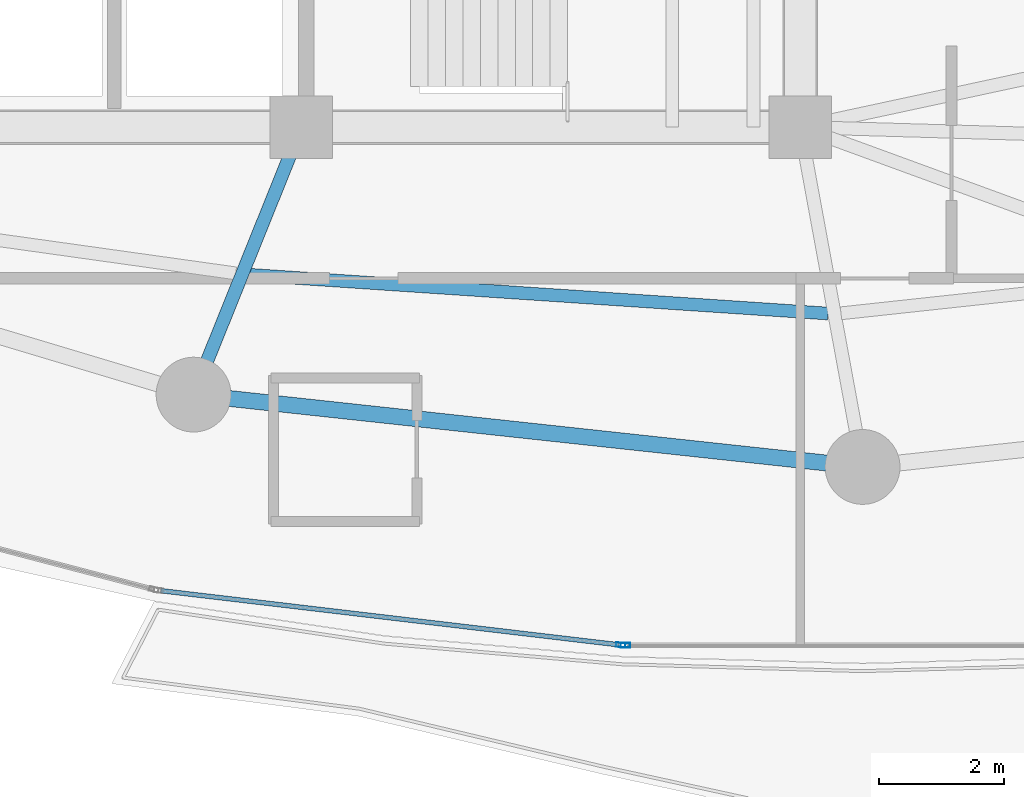
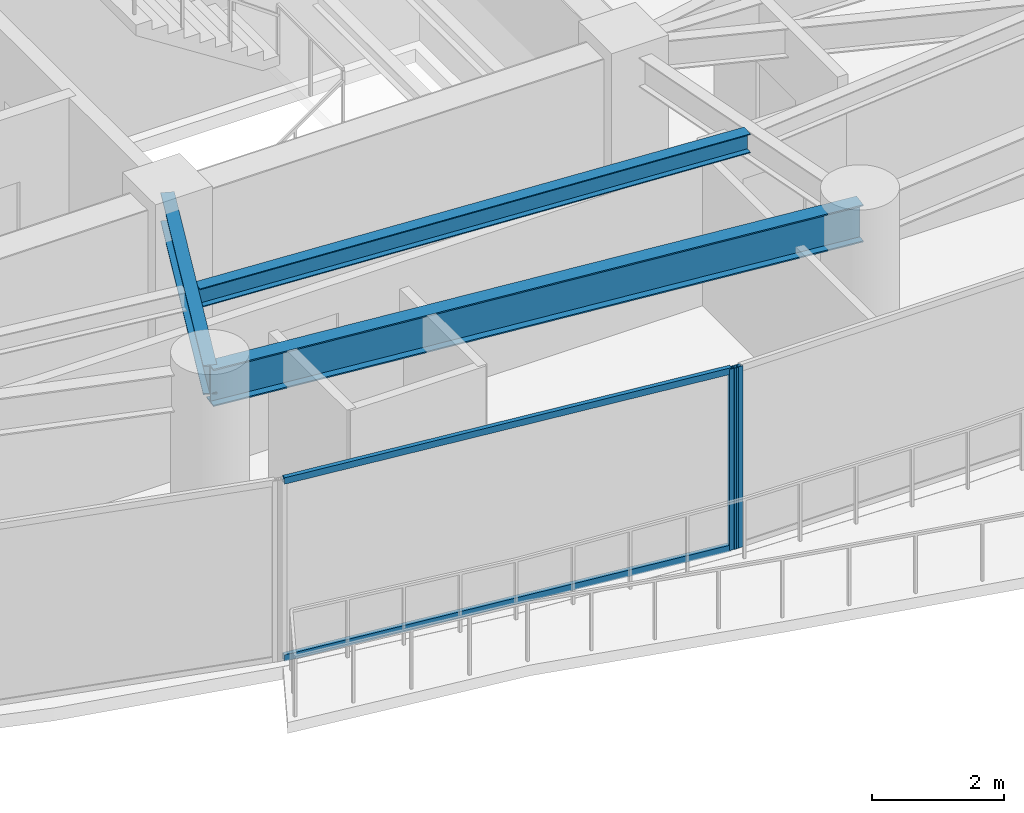
# One storey, part 6 of 34: 4 members, 3 beams, 2 elements without a shape of their own.
"""IFC4 building model written with IfcOpenShell, lengths in metres."""

from ifc_helpers import new_model, si_unit, direction, frame, origin, origin_2d, place, context, subcontext, project, spatial, hollow_rectangle, i_section, extrude, material, layer, layer_set, material_profile, profile_set, type_object, element, aggregate, save


model = new_model("IFC4")

# Units and contexts
model_context = context("Model", 3, precision=1e-05, world=origin(), true_north=direction((0.0, 1.0)))
body_context = subcontext(model_context, "Body", "Model", "MODEL_VIEW")
ifc_project = project(units=[si_unit("LENGTHUNIT", "METRE"), si_unit("AREAUNIT", "SQUARE_METRE"), si_unit("VOLUMEUNIT", "CUBIC_METRE"), si_unit("PLANEANGLEUNIT", "RADIAN"), si_unit("MASSUNIT", "GRAM", prefix="KILO")], contexts=[model_context])

# Site, building, storey
site_placement = place(None, origin())
site = spatial("IfcSite", under=ifc_project, at=site_placement, CompositionType="ELEMENT")
building_placement = place(site_placement, origin())
building = spatial("IfcBuilding", under=site, at=building_placement, Name="Kazevale Care Tower and Concert Hall", CompositionType="ELEMENT")
storey_placement = place(building_placement, frame((0.0, 0.0, 160.199951171875)))
storey = spatial("IfcBuildingStorey", under=building, at=storey_placement, Name="L42", CompositionType="ELEMENT", Elevation=160.199951171875)

# Curtain wall, member
ifc_material_1 = material(Name="Aluminium 6063-T6 and Low-E Glass", Category="aluminium")
ifc_layer = layer(ifc_material_1, 0.179931640625)
ifc_layer_set = layer_set([ifc_layer], Name="Aluminium 6063-T6 and Low-E Glass")
curtain_wall_type = type_object("IfcCurtainWallType", Name="Sheltered Concave Balcony Curtain Wall CW-5", PredefinedType="NOTDEFINED", material=ifc_layer_set)
curtain_wall_1_placement = place(storey_placement, origin())
curtain_wall_1 = element("IfcCurtainWall", 1, at=curtain_wall_1_placement, inside=storey, type_object=curtain_wall_type, Name="cw:L42:f06", PredefinedType="NOTDEFINED")
ifc_material_2 = material(Name="Aluminium 6063-T6", Category="aluminium")
ifc_material_profile_1 = material_profile(ifc_material_2, hollow_rectangle(XDim=0.074951171875, YDim=0.14990234375, WallThickness=0.00390625, at=origin_2d()), Name="ALU75x150x4")
ifc_profile_set_1 = profile_set([ifc_material_profile_1], Name="Aluminium 6063-T6")
member_type_1 = type_object("IfcMemberType", Name="CW-5 Mullion ALU75x150x4", PredefinedType="MULLION", material=ifc_profile_set_1)
member_1_placement = place(storey_placement, frame((41.196533203125, 15.2890625, 0.0), z_axis=(0.0, 0.0, 1.0), x_axis=(0.0, -1.0, 0.0)))
member_1 = element("IfcMember", 2, at=member_1_placement, type_object=member_type_1, Name="CW-5 mullion 2", PredefinedType="MULLION", context=body_context, shape_type="SweptSolid", body=[
    extrude(hollow_rectangle(XDim=0.074951171875, YDim=0.14990234375, WallThickness=0.00390625, at=origin_2d()), origin(), (0.0, 0.0, 1.0), 3.360107421875),
])
aggregate(curtain_wall_1, [member_1])

# Curtain wall, members
curtain_wall_2_placement = place(storey_placement, origin())
curtain_wall_2 = element("IfcCurtainWall", 3, at=curtain_wall_2_placement, inside=storey, type_object=curtain_wall_type, Name="cw:L42:f07", PredefinedType="NOTDEFINED")
member_2_placement = place(storey_placement, frame((41.121826171875, 15.29345703125, 0.0), z_axis=(0.0, 0.0, 1.0), x_axis=(-0.117372179238, -0.993087997884, 0.0)))
member_2 = element("IfcMember", 4, at=member_2_placement, type_object=member_type_1, Name="CW-5 mullion 1", PredefinedType="MULLION", context=body_context, shape_type="SweptSolid", body=[
    extrude(hollow_rectangle(XDim=0.074951171875, YDim=0.14990234375, WallThickness=0.00390625, at=origin_2d()), origin(), (0.0, 0.0, 1.0), 3.360107421875),
])
ifc_material_profile_2 = material_profile(ifc_material_2, hollow_rectangle(XDim=0.074951171875, YDim=0.1201171875, WallThickness=0.00390625, at=origin_2d()), Name="ALU75x120x4")
ifc_profile_set_2 = profile_set([ifc_material_profile_2], Name="Aluminium 6063-T6")
member_type_2 = type_object("IfcMemberType", Name="CW-5 Transom ALU75x120x4", PredefinedType="USERDEFINED", material=ifc_profile_set_2)
member_3_placement = place(storey_placement, frame((41.08447265625, 15.2978515625, 0.03759765625), z_axis=(-0.993087545854, 0.117376003806, 0.0), x_axis=(-0.117376003806, -0.993087545854, 0.0)))
member_3 = element("IfcMember", 5, at=member_3_placement, type_object=member_type_2, Name="CW-5 transom 1.1", ObjectType="TRANSOM", PredefinedType="USERDEFINED", context=body_context, shape_type="SweptSolid", body=[
    extrude(hollow_rectangle(XDim=0.074951171875, YDim=0.1201171875, WallThickness=0.00390625, at=origin_2d()), origin(), (0.0, 0.0, 1.0), 7.39013671875),
])
member_4_placement = place(storey_placement, frame((41.08447265625, 15.2978515625, 3.322509765625), z_axis=(-0.993087545854, 0.117376003806, 0.0), x_axis=(-0.117376003806, -0.993087545854, 0.0)))
member_4 = element("IfcMember", 6, at=member_4_placement, type_object=member_type_2, Name="CW-5 transom 1.2", ObjectType="TRANSOM", PredefinedType="USERDEFINED", context=body_context, shape_type="SweptSolid", body=[
    extrude(hollow_rectangle(XDim=0.074951171875, YDim=0.1201171875, WallThickness=0.00390625, at=origin_2d()), origin(), (0.0, 0.0, 1.0), 7.39013671875),
])
aggregate(curtain_wall_2, [member_2, member_3, member_4])

# Beams
ifc_material_3 = material(Name="Steel ASTM A572 Gr 50", Category="steel")
ifc_material_profile_3 = material_profile(ifc_material_3, i_section(OverallWidth=0.2119140625, OverallDepth=0.5439453125, WebThickness=0.01318359375, FlangeThickness=0.021240234375, at=origin_2d()), Name="W530x123")
ifc_profile_set_3 = profile_set([ifc_material_profile_3], Name="Steel ASTM A572 Gr 50")
beam_type_1 = type_object("IfcBeamType", Name="Radial Floor Girder W530x123", PredefinedType="BEAM", material=ifc_profile_set_3)
beam_1_placement = place(storey_placement, frame((36.0, 23.60009765625, 3.088134765625), z_axis=(-0.373991766452, -0.927432023722, 0.0), x_axis=(0.927432023722, -0.373991766452, 0.0)))
element("IfcBeam", 7, at=beam_1_placement, inside=storey, type_object=beam_type_1, Name="beam:L42:rad:12", PredefinedType="BEAM", context=body_context, shape_type="SweptSolid", body=[
    extrude(i_section(OverallWidth=0.2119140625, OverallDepth=0.5439453125, WebThickness=0.01318359375, FlangeThickness=0.021240234375, at=origin_2d()), origin(), (0.0, 0.0, 1.0), 4.625732421875),
])
ifc_material_profile_4 = material_profile(ifc_material_3, i_section(OverallWidth=0.205078125, OverallDepth=0.35400390625, WebThickness=0.009521484375, FlangeThickness=0.016845703125, at=origin_2d()), Name="W360x79")
ifc_profile_set_4 = profile_set([ifc_material_profile_4], Name="Steel ASTM A572 Gr 50")
beam_type_2 = type_object("IfcBeamType", Name="Secondary Floor Joist W360x79", PredefinedType="JOIST", material=ifc_profile_set_4)
beam_2_placement = place(storey_placement, frame((35.153076171875, 21.23291015625, 3.18310546875), z_axis=(0.997761314569, -0.06687569925, 0.0), x_axis=(0.06687569925, 0.997761314569, 0.0)))
element("IfcBeam", 8, at=beam_2_placement, inside=storey, type_object=beam_type_2, Name="beam:L42:joist:12", PredefinedType="JOIST", context=body_context, shape_type="SweptSolid", body=[
    extrude(i_section(OverallWidth=0.205078125, OverallDepth=0.35400390625, WebThickness=0.009521484375, FlangeThickness=0.016845703125, at=origin_2d()), origin(), (0.0, 0.0, 1.0), 9.312744140625),
])
ifc_material_profile_5 = material_profile(ifc_material_3, i_section(OverallWidth=0.256103515625, OverallDepth=0.693115234375, WebThickness=0.014404296875, FlangeThickness=0.023681640625, at=origin_2d()), Name="W690x170")
ifc_profile_set_5 = profile_set([ifc_material_profile_5], Name="Steel ASTM A572 Gr 50")
beam_type_3 = type_object("IfcBeamType", Name="Waist Ring Beam W690x170", PredefinedType="BEAM", material=ifc_profile_set_5)
beam_3_placement = place(storey_placement, frame((34.27001953125, 19.31005859375, 3.013427734375), z_axis=(0.994205479487, -0.107496346724, 0.0), x_axis=(0.107496346724, 0.994205479487, 0.0)))
element("IfcBeam", 9, at=beam_3_placement, inside=storey, type_object=beam_type_3, Name="beam:L42:ring:12", PredefinedType="BEAM", context=body_context, shape_type="SweptSolid", body=[
    extrude(i_section(OverallWidth=0.256103515625, OverallDepth=0.693115234375, WebThickness=0.014404296875, FlangeThickness=0.023681640625, at=origin_2d()), origin(), (0.0, 0.0, 1.0), 10.79248046875),
])

save(model, "model.ifc")
